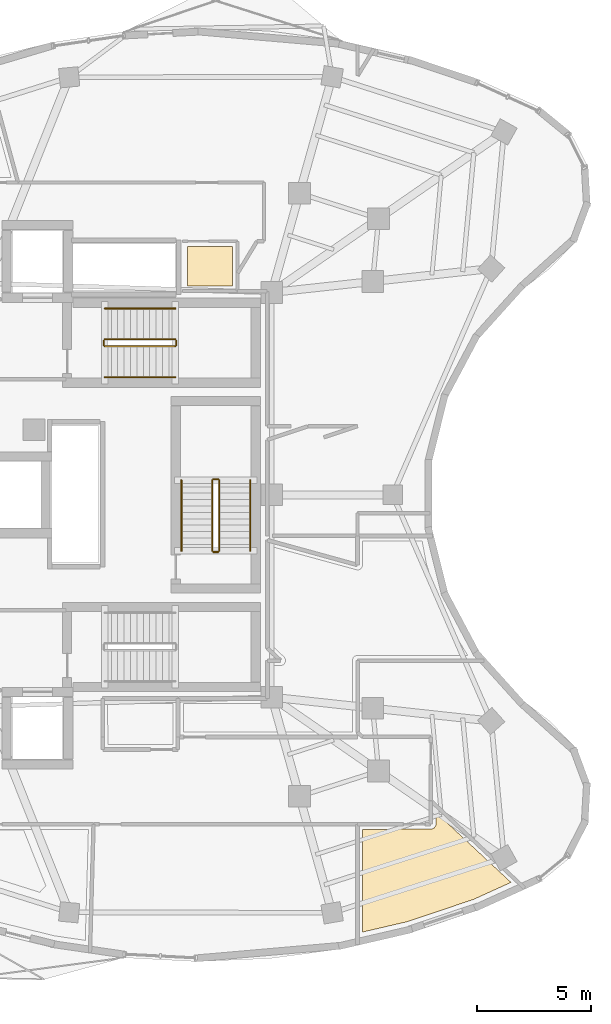
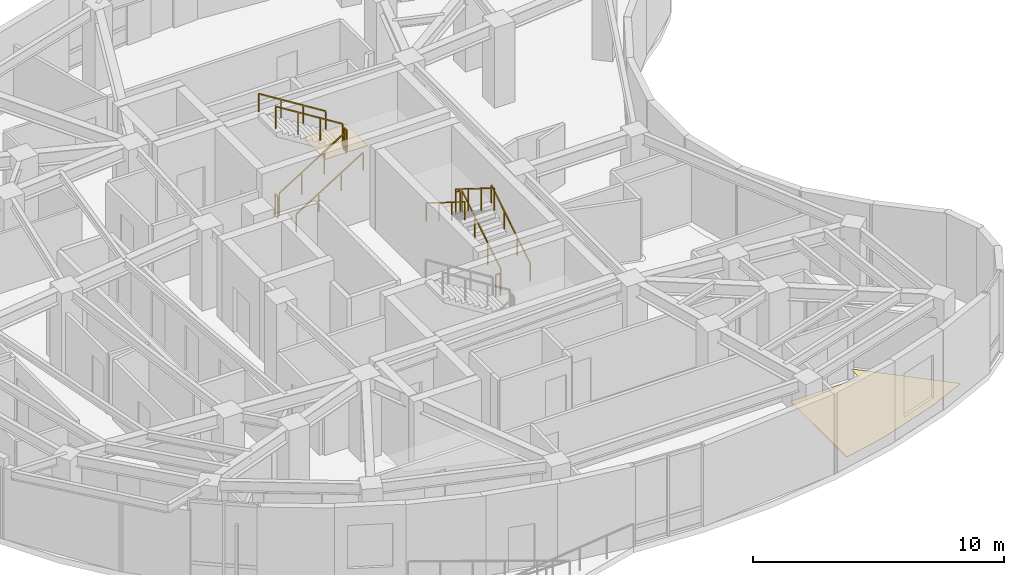
# One storey, part 13 of 14: 12 railings, 2 coverings.
"""IFC4 building model written with IfcOpenShell, lengths in metres."""

import ifcopenshell
import ifcopenshell.guid

model = None  # the IFC model being written
_history = None  # IfcOwnerHistory: only IFC2X3 demands one
_inside = {}  # id of a spatial element -> (the spatial element, [elements in it])
_under = {}  # id of a project, library or spatial element -> (it, [spatial elements below it])
_declared = {}  # id of a project -> (the project, [libraries it declares])
_typed = {}  # id of a type object -> (the type object, [elements of that type])
_made_of = {}  # id of a material, layer set ... -> (it, [elements and type objects made of it])


def new_model(schema):
    """Start an empty IFC model of exactly this schema.

    Asked for "IFC4X3", IfcOpenShell would pick the latest addendum, in which some entities
    have other attributes; the version numbers below select the first issue.
    IFC2X3 requires an IfcOwnerHistory on every rooted entity: one is made here for all.
    """
    global model, _history
    if schema == "IFC4X3":
        model = ifcopenshell.file(schema_version=(4, 3, 0, 0))
    else:
        model = ifcopenshell.file(schema=schema)
    _inside.clear()
    _under.clear()
    _declared.clear()
    _typed.clear()
    _made_of.clear()
    _history = None
    if model.schema == "IFC2X3":
        org = make("IfcOrganization", Name="unknown")
        user = make(
            "IfcPersonAndOrganization",
            ThePerson=make("IfcPerson", FamilyName="unknown"),
            TheOrganization=org,
        )
        app = make(
            "IfcApplication",
            ApplicationDeveloper=org,
            Version="unknown",
            ApplicationFullName="unknown",
            ApplicationIdentifier="unknown",
        )
        _history = make(
            "IfcOwnerHistory",
            OwningUser=user,
            OwningApplication=app,
            ChangeAction="ADDED",
            CreationDate=0,
        )
    return model


def make(cls, **values):
    """One entity of the class cls with the attributes given. An attribute that is None is left unset."""
    return model.create_entity(
        cls, **{name: value for name, value in values.items() if value is not None}
    )


def rooted(cls, **values):
    """An entity with a GlobalId (a new one), such as an element, a storey or a relation."""
    return make(cls, GlobalId=ifcopenshell.guid.new(), OwnerHistory=_history, **values)


def si_unit(unit_type, name, prefix=None):
    """IfcSIUnit, for example si_unit("LENGTHUNIT", "METRE", prefix="MILLI")."""
    return make("IfcSIUnit", UnitType=unit_type, Prefix=prefix, Name=name)


def assignment(units):
    """IfcUnitAssignment: the units of a project."""
    return None if units is None else make("IfcUnitAssignment", Units=units)


def point(xyz):
    """IfcCartesianPoint."""
    return None if xyz is None else make("IfcCartesianPoint", Coordinates=xyz)


def direction(xyz):
    """IfcDirection."""
    return None if xyz is None else make("IfcDirection", DirectionRatios=xyz)


def frame(location, z_axis=None, x_axis=None):
    """IfcAxis2Placement3D, a coordinate frame: its origin and axes. An axis left out is left unset."""
    return make(
        "IfcAxis2Placement3D",
        Location=point(location),
        Axis=direction(z_axis),
        RefDirection=direction(x_axis),
    )


def frame_2d(location, x_axis=None):
    """IfcAxis2Placement2D, a coordinate frame in the plane: its origin and x axis."""
    return make(
        "IfcAxis2Placement2D", Location=point(location), RefDirection=direction(x_axis)
    )


def origin():
    """The frame at (0, 0, 0) with its axes left unset."""
    return frame((0.0, 0.0, 0.0))


def origin_2d():
    """The frame at (0, 0) in the plane with its x axis left unset."""
    return frame_2d((0.0, 0.0))


def place(relative_to, where):
    """IfcLocalPlacement: puts the frame where relative to a parent placement (None: the world)."""
    return make(
        "IfcLocalPlacement", PlacementRelTo=relative_to, RelativePlacement=where
    )


def context(
    kind, dimensions, precision=None, world=None, true_north=None, identifier=None
):
    """IfcGeometricRepresentationContext, for example the 3D "Model" context."""
    return make(
        "IfcGeometricRepresentationContext",
        ContextIdentifier=identifier,
        ContextType=kind,
        CoordinateSpaceDimension=dimensions,
        Precision=precision,
        WorldCoordinateSystem=world,
        TrueNorth=true_north,
    )


def subcontext(parent, identifier, kind, view, scale=None):
    """IfcGeometricRepresentationSubContext, for example "Body" below "Model"."""
    return make(
        "IfcGeometricRepresentationSubContext",
        ContextIdentifier=identifier,
        ContextType=kind,
        ParentContext=parent,
        TargetScale=scale,
        TargetView=view,
    )


def project(units=None, contexts=None):
    """IfcProject with its units and contexts."""
    return rooted(
        "IfcProject",
        Name="project",
        RepresentationContexts=contexts,
        UnitsInContext=assignment(units),
    )


def spatial(cls, under=None, at=None, **own):
    """A site, building, storey or space (cls), placed at a placement, below another one or the project."""
    s = rooted(cls, ObjectPlacement=at, **own)
    if under is not None:
        _under.setdefault(under.id(), (under, []))[1].append(s)
    return s


def polyline(points):
    """IfcPolyline through the points."""
    return make("IfcPolyline", Points=[point(p) for p in points])


def profile(cls, at=None, kind="AREA", **sizes):
    """A parametric profile (cls). Its sizes go by their IFC names, for example OverallWidth=200.0."""
    return make(cls, ProfileType=kind, Position=at, **sizes)


def rectangle(**sizes):
    """IfcRectangleProfileDef."""
    return profile("IfcRectangleProfileDef", **sizes)


def outline(outer, holes=None, kind="AREA"):
    """IfcArbitraryClosedProfileDef: a profile drawn as a closed curve; with holes, ...WithVoids."""
    if holes is None:
        return make("IfcArbitraryClosedProfileDef", ProfileType=kind, OuterCurve=outer)
    return make(
        "IfcArbitraryProfileDefWithVoids",
        ProfileType=kind,
        OuterCurve=outer,
        InnerCurves=holes,
    )


def extrude(swept, where, along, depth):
    """IfcExtrudedAreaSolid: the profile swept, set in the frame where, extruded along a direction by depth."""
    return make(
        "IfcExtrudedAreaSolid",
        SweptArea=swept,
        Position=where,
        ExtrudedDirection=direction(along),
        Depth=depth,
    )


def shape(context_of_items, identifier, shape_type, items):
    """IfcShapeRepresentation: the items that make up one representation, for example the "Body"."""
    return make(
        "IfcShapeRepresentation",
        ContextOfItems=context_of_items,
        RepresentationIdentifier=identifier,
        RepresentationType=shape_type,
        Items=items,
    )


def material(Name=None, Category=None):
    """IfcMaterial."""
    return make("IfcMaterial", Name=Name, Category=Category)


def layer(
    of_material, thickness, ventilated=None, Name=None, Category=None, Priority=None
):
    """IfcMaterialLayer: one layer of a wall or slab, of a material (None: an air gap)."""
    return make(
        "IfcMaterialLayer",
        Material=of_material,
        LayerThickness=thickness,
        IsVentilated=ventilated,
        Name=Name,
        Category=Category,
        Priority=Priority,
    )


def layer_set(layers, Name=None):
    """IfcMaterialLayerSet."""
    return make("IfcMaterialLayerSet", MaterialLayers=layers, LayerSetName=Name)


def made_of(thing, what):
    """Note that an element or type object is made of a material, layer set ...; save() writes the relation."""
    if what is not None:
        _made_of.setdefault(what.id(), (what, []))[1].append(thing)
    return thing


def type_object(cls, material=None, **own):
    """A type object (cls), such as IfcWallType, which elements share."""
    return made_of(rooted(cls, **own), material)


def element(
    cls,
    number,
    at=None,
    inside=None,
    cuts=None,
    type_object=None,
    material=None,
    context=None,
    identifier="Body",
    shape_type=None,
    held_by="IfcProductDefinitionShape",
    body=None,
    shapes=None,
    **own,
):
    """One element of the class cls, such as IfcWall. Its Tag is "e" and its number.

    at: its placement. inside: the storey or other place that contains it. cuts: it is an
    opening in that element (IfcRelVoidsElement). A single representation is given by context,
    identifier, shape_type and body (its items); several are given by shapes. held_by: the class
    of the entity that holds the representations. save() writes the other relations.
    """
    e = rooted(cls, Tag="e%d" % number, ObjectPlacement=at, **own)
    if body is not None:
        shapes = [shape(context, identifier, shape_type, body)]
    if shapes is not None:
        e.Representation = make(held_by, Representations=shapes)
    if inside is not None:
        _inside.setdefault(inside.id(), (inside, []))[1].append(e)
    if cuts is not None:
        rooted(
            "IfcRelVoidsElement", RelatingBuildingElement=cuts, RelatedOpeningElement=e
        )
    if type_object is not None:
        _typed.setdefault(type_object.id(), (type_object, []))[1].append(e)
    return made_of(e, material)


def aggregate(whole, parts):
    """IfcRelAggregates: a whole, such as a stair, and the parts it consists of."""
    return rooted("IfcRelAggregates", RelatingObject=whole, RelatedObjects=parts)


def save(model, path):
    """Write the relations noted so far, then the file.

    IfcRelAggregates (storeys below a building ...), IfcRelContainedInSpatialStructure (elements
    in a storey), IfcRelDefinesByType, IfcRelAssociatesMaterial and IfcRelDeclares: one each for
    every whole, place, type object, material and project.
    """
    for whole, parts in _under.values():
        aggregate(whole, parts)
    for where, things in _inside.values():
        rooted(
            "IfcRelContainedInSpatialStructure",
            RelatedElements=things,
            RelatingStructure=where,
        )
    for kind, things in _typed.values():
        rooted("IfcRelDefinesByType", RelatedObjects=things, RelatingType=kind)
    for what, things in _made_of.values():
        rooted("IfcRelAssociatesMaterial", RelatedObjects=things, RelatingMaterial=what)
    for by, libraries in _declared.values():
        rooted("IfcRelDeclares", RelatingContext=by, RelatedDefinitions=libraries)
    model.write(path)


model = new_model("IFC4")

# Units and contexts
model_context = context("Model", 3, precision=1e-05, world=origin(), true_north=direction((0.0, 1.0)))
body_context = subcontext(model_context, "Body", "Model", "MODEL_VIEW")
ifc_project = project(units=[si_unit("LENGTHUNIT", "METRE"), si_unit("AREAUNIT", "SQUARE_METRE"), si_unit("VOLUMEUNIT", "CUBIC_METRE"), si_unit("PLANEANGLEUNIT", "RADIAN"), si_unit("MASSUNIT", "GRAM", prefix="KILO")], contexts=[model_context])

# Site, building, storey
site_placement = place(None, origin())
site = spatial("IfcSite", under=ifc_project, at=site_placement, CompositionType="ELEMENT")
building_placement = place(site_placement, origin())
building = spatial("IfcBuilding", under=site, at=building_placement, Name="Korentha Bioscience Tower", CompositionType="ELEMENT")
storey_placement = place(building_placement, frame((0.0, 0.0, 264.60009765625)))
storey = spatial("IfcBuildingStorey", under=building, at=storey_placement, Name="L61", CompositionType="ELEMENT", Elevation=264.60009765625)

# Covering
ifc_material_1 = material(Name="Vitrified Porcelain Tile", Category="ceramic")
ifc_layer_1 = layer(ifc_material_1, 0.014892578125, Name="Vitrified Porcelain Tile")
ifc_layer_set_1 = layer_set([ifc_layer_1], Name="Vitrified Porcelain Tile (FL-CER)")
covering_type_1 = type_object("IfcCoveringType", Name="Anti-Slip Ceramic Wet-Room Tile Flooring 15", PredefinedType="FLOORING", material=ifc_layer_set_1)
covering_1_placement = place(storey_placement, origin())
element("IfcCovering", 1, at=covering_1_placement, inside=storey, type_object=covering_type_1, Name="L61 Accessible Staff WC Floor Finish", PredefinedType="FLOORING", context=body_context, shape_type="SweptSolid", body=[
    extrude(outline(polyline([(33.8701171875, 36.1298828125), (33.8701171875, 37.8701171875), (35.830078125, 37.8701171875), (35.830078125, 36.1298828125), (33.8701171875, 36.1298828125)])), origin(), (0.0, 0.0, 1.0), 0.014892578125),
])

# Railings
ifc_material_2 = material(Name="Stainless Steel 304", Category="steel")
railing_type_1 = type_object("IfcRailingType", Name="Brushed Stainless Stair Handrail 900", PredefinedType="HANDRAIL", material=ifc_material_2)
railing_1_placement = place(storey_placement, frame((30.25, 32.14990234375, 0.1748046875)))
element("IfcRailing", 2, at=railing_1_placement, inside=storey, type_object=railing_type_1, Name="L61 ST-1 stair handrail 1", PredefinedType="HANDRAIL", context=body_context, shape_type="SweptSolid", body=[
    extrude(rectangle(XDim=0.048095703125, YDim=0.048095703125, at=origin_2d()), frame((0.0, 0.0, 0.8759765625), z_axis=(0.847998304005, 0.0, 0.529998940003), x_axis=(0.0, 1.0, 0.0)), (0.0, 0.0, 1.0), 3.632080078125),
    extrude(rectangle(XDim=0.0419921875, YDim=0.0419921875, at=origin_2d()), origin(), (0.0, 0.0, 1.0), 0.851806640625),
    extrude(rectangle(XDim=0.0419921875, YDim=0.0419921875, at=origin_2d()), frame((1.026611328125, 0.0, 0.6416015625)), (0.0, 0.0, 1.0), 0.851806640625),
    extrude(rectangle(XDim=0.0419921875, YDim=0.0419921875, at=origin_2d()), frame((2.053466796875, 0.0, 1.283447265625)), (0.0, 0.0, 1.0), 0.851806640625),
    extrude(rectangle(XDim=0.0419921875, YDim=0.0419921875, at=origin_2d()), frame((3.080078125, 0.0, 1.925048828125)), (0.0, 0.0, 1.0), 0.851806640625),
])
railing_2_placement = place(storey_placement, frame((33.330078125, 35.14990234375, 2.27490234375)))
element("IfcRailing", 3, at=railing_2_placement, inside=storey, type_object=railing_type_1, Name="L61 ST-1 stair handrail 2", PredefinedType="HANDRAIL", context=body_context, shape_type="SweptSolid", body=[
    extrude(rectangle(XDim=0.048095703125, YDim=0.048095703125, at=origin_2d()), frame((0.0, 0.0, 0.8759765625), z_axis=(-0.847998304005, 0.0, 0.529998940003), x_axis=(0.0, -1.0, 0.0)), (0.0, 0.0, 1.0), 3.632080078125),
    extrude(rectangle(XDim=0.0419921875, YDim=0.0419921875, at=origin_2d()), origin(), (0.0, 0.0, 1.0), 0.851806640625),
    extrude(rectangle(XDim=0.0419921875, YDim=0.0419921875, at=origin_2d()), frame((-1.026611328125, 0.0, 0.6416015625)), (0.0, 0.0, 1.0), 0.851806640625),
    extrude(rectangle(XDim=0.0419921875, YDim=0.0419921875, at=origin_2d()), frame((-2.053466796875, 0.0, 1.283447265625)), (0.0, 0.0, 1.0), 0.851806640625),
    extrude(rectangle(XDim=0.0419921875, YDim=0.0419921875, at=origin_2d()), frame((-3.080078125, 0.0, 1.925048828125)), (0.0, 0.0, 1.0), 0.851806640625),
])
railing_3_placement = place(storey_placement, frame((36.60009765625, 24.550048828125, 0.1748046875)))
element("IfcRailing", 4, at=railing_3_placement, inside=storey, type_object=railing_type_1, Name="L61 ST-3 stair handrail 1", PredefinedType="HANDRAIL", context=body_context, shape_type="SweptSolid", body=[
    extrude(rectangle(XDim=0.048095703125, YDim=0.048095703125, at=origin_2d()), frame((0.0, 0.0, 0.8759765625), z_axis=(0.0, 0.847979421464, 0.530029150871), x_axis=(-1.0, 0.0, 0.0)), (0.0, 0.0, 1.0), 3.632080078125),
    extrude(rectangle(XDim=0.0419921875, YDim=0.0419921875, at=origin_2d()), origin(), (0.0, 0.0, 1.0), 0.851806640625),
    extrude(rectangle(XDim=0.0419921875, YDim=0.0419921875, at=origin_2d()), frame((0.0, 1.026611328125, 0.6416015625)), (0.0, 0.0, 1.0), 0.851806640625),
    extrude(rectangle(XDim=0.0419921875, YDim=0.0419921875, at=origin_2d()), frame((0.0, 2.05322265625, 1.283447265625)), (0.0, 0.0, 1.0), 0.851806640625),
    extrude(rectangle(XDim=0.0419921875, YDim=0.0419921875, at=origin_2d()), frame((0.0, 3.079833984375, 1.925048828125)), (0.0, 0.0, 1.0), 0.851806640625),
])
railing_4_placement = place(storey_placement, frame((33.60009765625, 27.6298828125, 2.27490234375)))
element("IfcRailing", 5, at=railing_4_placement, inside=storey, type_object=railing_type_1, Name="L61 ST-3 stair handrail 2", PredefinedType="HANDRAIL", context=body_context, shape_type="SweptSolid", body=[
    extrude(rectangle(XDim=0.048095703125, YDim=0.048095703125, at=origin_2d()), frame((0.0, 0.0, 0.8759765625), z_axis=(0.0, -0.847979421464, 0.530029150871), x_axis=(1.0, 0.0, 0.0)), (0.0, 0.0, 1.0), 3.632080078125),
    extrude(rectangle(XDim=0.0419921875, YDim=0.0419921875, at=origin_2d()), origin(), (0.0, 0.0, 1.0), 0.851806640625),
    extrude(rectangle(XDim=0.0419921875, YDim=0.0419921875, at=origin_2d()), frame((0.0, -1.026611328125, 0.6416015625)), (0.0, 0.0, 1.0), 0.851806640625),
    extrude(rectangle(XDim=0.0419921875, YDim=0.0419921875, at=origin_2d()), frame((0.0, -2.05322265625, 1.283447265625)), (0.0, 0.0, 1.0), 0.851806640625),
    extrude(rectangle(XDim=0.0419921875, YDim=0.0419921875, at=origin_2d()), frame((0.0, -3.079833984375, 1.925048828125)), (0.0, 0.0, 1.0), 0.851806640625),
])
ifc_material_3 = material(Name="Painted Steel S275", Category="steel")
railing_type_2 = type_object("IfcRailingType", Name="Painted Steel Stair Well Guardrail 1100", PredefinedType="GUARDRAIL", material=ifc_material_3)
railing_5_placement = place(storey_placement, frame((30.25, 33.5, 0.1748046875)))
element("IfcRailing", 6, at=railing_5_placement, inside=storey, type_object=railing_type_2, Name="L61 ST-1 stair guard 1", PredefinedType="GUARDRAIL", context=body_context, shape_type="SweptSolid", body=[
    extrude(rectangle(XDim=0.048095703125, YDim=0.048095703125, at=origin_2d()), frame((0.0, 0.0, 1.076171875), z_axis=(0.847998304005, 0.0, 0.529998940003), x_axis=(0.0, 1.0, 0.0)), (0.0, 0.0, 1.0), 3.632080078125),
    extrude(rectangle(XDim=0.0419921875, YDim=0.0419921875, at=origin_2d()), origin(), (0.0, 0.0, 1.0), 1.052001953125),
    extrude(rectangle(XDim=0.0419921875, YDim=0.0419921875, at=origin_2d()), frame((1.026611328125, 0.0, 0.6416015625)), (0.0, 0.0, 1.0), 1.052001953125),
    extrude(rectangle(XDim=0.0419921875, YDim=0.0419921875, at=origin_2d()), frame((2.053466796875, 0.0, 1.283447265625)), (0.0, 0.0, 1.0), 1.052001953125),
    extrude(rectangle(XDim=0.0419921875, YDim=0.0419921875, at=origin_2d()), frame((3.080078125, 0.0, 1.925048828125)), (0.0, 0.0, 1.0), 1.052001953125),
])
railing_6_placement = place(storey_placement, frame((33.3798828125, 33.550048828125, 2.099853515625)))
element("IfcRailing", 7, at=railing_6_placement, inside=storey, type_object=railing_type_2, Name="L61 ST-1 stair guard 2", PredefinedType="GUARDRAIL", context=body_context, shape_type="SweptSolid", body=[
    extrude(rectangle(XDim=0.048095703125, YDim=0.048095703125, at=origin_2d()), frame((0.0, 0.0, 1.076171875), z_axis=(0.0, 1.0, 0.0), x_axis=(-1.0, 0.0, 0.0)), (0.0, 0.0, 1.0), 0.199951171875),
    extrude(rectangle(XDim=0.0419921875, YDim=0.0419921875, at=origin_2d()), origin(), (0.0, 0.0, 1.0), 1.052001953125),
    extrude(rectangle(XDim=0.0419921875, YDim=0.0419921875, at=origin_2d()), frame((0.0, 0.199951171875, 0.0)), (0.0, 0.0, 1.0), 1.052001953125),
])
railing_7_placement = place(storey_placement, frame((33.330078125, 33.800048828125, 2.27490234375)))
element("IfcRailing", 8, at=railing_7_placement, inside=storey, type_object=railing_type_2, Name="L61 ST-1 stair guard 3", PredefinedType="GUARDRAIL", context=body_context, shape_type="SweptSolid", body=[
    extrude(rectangle(XDim=0.048095703125, YDim=0.048095703125, at=origin_2d()), frame((0.0, 0.0, 1.076171875), z_axis=(-0.847998304005, 0.0, 0.529998940003), x_axis=(0.0, -1.0, 0.0)), (0.0, 0.0, 1.0), 3.632080078125),
    extrude(rectangle(XDim=0.0419921875, YDim=0.0419921875, at=origin_2d()), origin(), (0.0, 0.0, 1.0), 1.052001953125),
    extrude(rectangle(XDim=0.0419921875, YDim=0.0419921875, at=origin_2d()), frame((-1.026611328125, 0.0, 0.6416015625)), (0.0, 0.0, 1.0), 1.052001953125),
    extrude(rectangle(XDim=0.0419921875, YDim=0.0419921875, at=origin_2d()), frame((-2.053466796875, 0.0, 1.283447265625)), (0.0, 0.0, 1.0), 1.052001953125),
    extrude(rectangle(XDim=0.0419921875, YDim=0.0419921875, at=origin_2d()), frame((-3.080078125, 0.0, 1.925048828125)), (0.0, 0.0, 1.0), 1.052001953125),
])
railing_8_placement = place(storey_placement, frame((30.199951171875, 33.550048828125, 0.0)))
element("IfcRailing", 9, at=railing_8_placement, inside=storey, type_object=railing_type_2, Name="L61 ST-1 stair guard 4", PredefinedType="GUARDRAIL", context=body_context, shape_type="SweptSolid", body=[
    extrude(rectangle(XDim=0.048095703125, YDim=0.048095703125, at=origin_2d()), frame((0.0, 0.0, 1.076171875), z_axis=(0.0, 1.0, 0.0), x_axis=(-1.0, 0.0, 0.0)), (0.0, 0.0, 1.0), 0.199951171875),
    extrude(rectangle(XDim=0.0419921875, YDim=0.0419921875, at=origin_2d()), origin(), (0.0, 0.0, 1.0), 1.052001953125),
    extrude(rectangle(XDim=0.0419921875, YDim=0.0419921875, at=origin_2d()), frame((0.0, 0.199951171875, 0.0)), (0.0, 0.0, 1.0), 1.052001953125),
])
railing_9_placement = place(storey_placement, frame((35.25, 24.550048828125, 0.1748046875)))
element("IfcRailing", 10, at=railing_9_placement, inside=storey, type_object=railing_type_2, Name="L61 ST-3 stair guard 1", PredefinedType="GUARDRAIL", context=body_context, shape_type="SweptSolid", body=[
    extrude(rectangle(XDim=0.048095703125, YDim=0.048095703125, at=origin_2d()), frame((0.0, 0.0, 1.076171875), z_axis=(0.0, 0.847979421464, 0.530029150871), x_axis=(-1.0, 0.0, 0.0)), (0.0, 0.0, 1.0), 3.632080078125),
    extrude(rectangle(XDim=0.0419921875, YDim=0.0419921875, at=origin_2d()), origin(), (0.0, 0.0, 1.0), 1.052001953125),
    extrude(rectangle(XDim=0.0419921875, YDim=0.0419921875, at=origin_2d()), frame((0.0, 1.026611328125, 0.6416015625)), (0.0, 0.0, 1.0), 1.052001953125),
    extrude(rectangle(XDim=0.0419921875, YDim=0.0419921875, at=origin_2d()), frame((0.0, 2.05322265625, 1.283447265625)), (0.0, 0.0, 1.0), 1.052001953125),
    extrude(rectangle(XDim=0.0419921875, YDim=0.0419921875, at=origin_2d()), frame((0.0, 3.079833984375, 1.925048828125)), (0.0, 0.0, 1.0), 1.052001953125),
])
railing_10_placement = place(storey_placement, frame((35.199951171875, 27.679931640625, 2.099853515625)))
element("IfcRailing", 11, at=railing_10_placement, inside=storey, type_object=railing_type_2, Name="L61 ST-3 stair guard 2", PredefinedType="GUARDRAIL", context=body_context, shape_type="SweptSolid", body=[
    extrude(rectangle(XDim=0.048095703125, YDim=0.048095703125, at=origin_2d()), frame((0.0, 0.0, 1.076171875), z_axis=(-1.0, 0.0, 0.0), x_axis=(0.0, -1.0, 0.0)), (0.0, 0.0, 1.0), 0.199951171875),
    extrude(rectangle(XDim=0.0419921875, YDim=0.0419921875, at=origin_2d()), origin(), (0.0, 0.0, 1.0), 1.052001953125),
    extrude(rectangle(XDim=0.0419921875, YDim=0.0419921875, at=origin_2d()), frame((-0.199951171875, 0.0, 0.0)), (0.0, 0.0, 1.0), 1.052001953125),
])
railing_11_placement = place(storey_placement, frame((34.949951171875, 27.6298828125, 2.27490234375)))
element("IfcRailing", 12, at=railing_11_placement, inside=storey, type_object=railing_type_2, Name="L61 ST-3 stair guard 3", PredefinedType="GUARDRAIL", context=body_context, shape_type="SweptSolid", body=[
    extrude(rectangle(XDim=0.048095703125, YDim=0.048095703125, at=origin_2d()), frame((0.0, 0.0, 1.076171875), z_axis=(0.0, -0.847979421464, 0.530029150871), x_axis=(1.0, 0.0, 0.0)), (0.0, 0.0, 1.0), 3.632080078125),
    extrude(rectangle(XDim=0.0419921875, YDim=0.0419921875, at=origin_2d()), origin(), (0.0, 0.0, 1.0), 1.052001953125),
    extrude(rectangle(XDim=0.0419921875, YDim=0.0419921875, at=origin_2d()), frame((0.0, -1.026611328125, 0.6416015625)), (0.0, 0.0, 1.0), 1.052001953125),
    extrude(rectangle(XDim=0.0419921875, YDim=0.0419921875, at=origin_2d()), frame((0.0, -2.05322265625, 1.283447265625)), (0.0, 0.0, 1.0), 1.052001953125),
    extrude(rectangle(XDim=0.0419921875, YDim=0.0419921875, at=origin_2d()), frame((0.0, -3.079833984375, 1.925048828125)), (0.0, 0.0, 1.0), 1.052001953125),
])
railing_12_placement = place(storey_placement, frame((35.199951171875, 24.5, 0.0)))
element("IfcRailing", 13, at=railing_12_placement, inside=storey, type_object=railing_type_2, Name="L61 ST-3 stair guard 4", PredefinedType="GUARDRAIL", context=body_context, shape_type="SweptSolid", body=[
    extrude(rectangle(XDim=0.048095703125, YDim=0.048095703125, at=origin_2d()), frame((0.0, 0.0, 1.076171875), z_axis=(-1.0, 0.0, 0.0), x_axis=(0.0, -1.0, 0.0)), (0.0, 0.0, 1.0), 0.199951171875),
    extrude(rectangle(XDim=0.0419921875, YDim=0.0419921875, at=origin_2d()), origin(), (0.0, 0.0, 1.0), 1.052001953125),
    extrude(rectangle(XDim=0.0419921875, YDim=0.0419921875, at=origin_2d()), frame((-0.199951171875, 0.0, 0.0)), (0.0, 0.0, 1.0), 1.052001953125),
])

# Covering
ifc_material_4 = material(Name="Chemical-Resistant Epoxy Resin", Category="polymer")
ifc_layer_2 = layer(ifc_material_4, 0.011962890625, Name="Chemical-Resistant Epoxy Resin")
ifc_layer_set_2 = layer_set([ifc_layer_2], Name="Chemical-Resistant Epoxy Resin (FL-EPX)")
covering_type_2 = type_object("IfcCoveringType", Name="Seamless Epoxy Laboratory Flooring 12", PredefinedType="FLOORING", material=ifc_layer_set_2)
covering_2_placement = place(storey_placement, origin())
element("IfcCovering", 14, at=covering_2_placement, inside=storey, type_object=covering_type_2, Name="L61 Mass-Spectrometry Analytical Suite 05 Floor Finish", PredefinedType="FLOORING", context=body_context, shape_type="SweptSolid", body=[
    extrude(outline(polyline([(41.528076171875, 7.87841796875), (41.528076171875, 12.3701171875), (44.555419921875, 12.376708984375), (44.670166015625, 12.4453125), (44.72314453125, 12.544677734375), (44.72998046875, 13.109130859375), (48.01318359375, 10.047607421875), (46.37548828125, 9.30419921875), (43.501220703125, 8.33544921875), (41.528076171875, 7.87841796875)])), origin(), (0.0, 0.0, 1.0), 0.011962890625),
])

save(model, "model.ifc")
